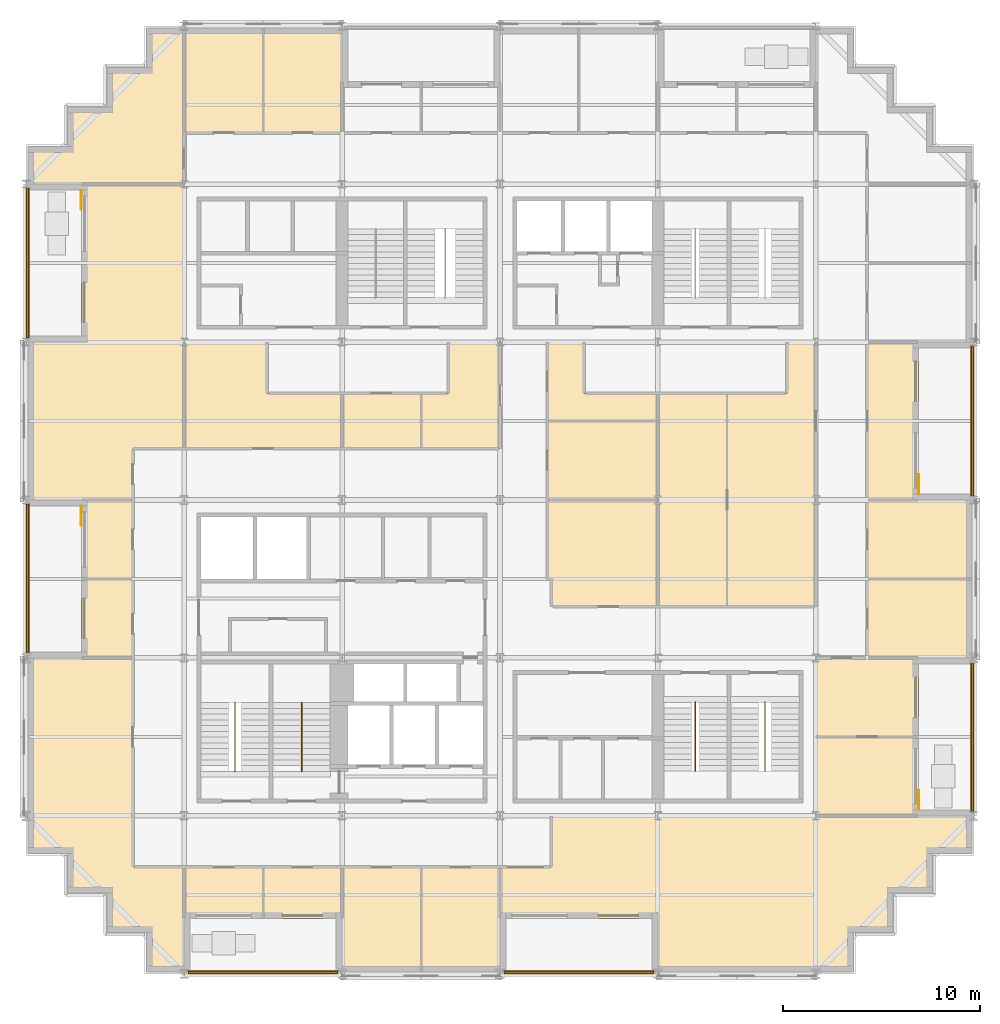
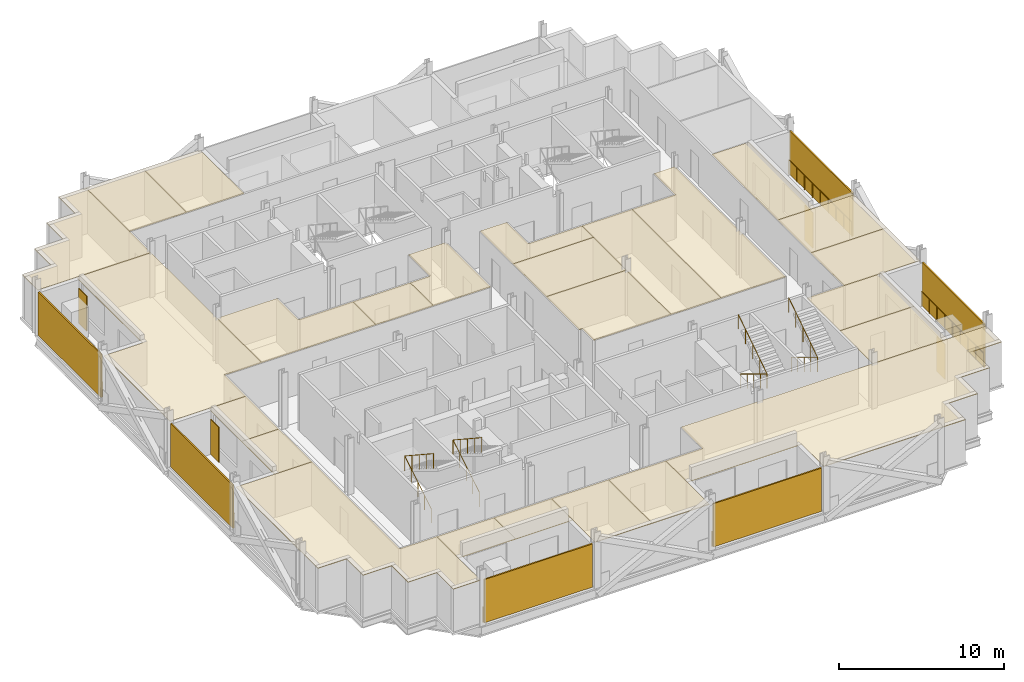
# One storey, part 13 of 15: 25 coverings, 10 railings, 10 shading devices.
"""IFC4 building model written with IfcOpenShell, lengths in metres."""

import ifcopenshell
import ifcopenshell.guid

model = None  # the IFC model being written
_history = None  # IfcOwnerHistory: only IFC2X3 demands one
_inside = {}  # id of a spatial element -> (the spatial element, [elements in it])
_under = {}  # id of a project, library or spatial element -> (it, [spatial elements below it])
_declared = {}  # id of a project -> (the project, [libraries it declares])
_typed = {}  # id of a type object -> (the type object, [elements of that type])
_made_of = {}  # id of a material, layer set ... -> (it, [elements and type objects made of it])


def new_model(schema):
    """Start an empty IFC model of exactly this schema.

    Asked for "IFC4X3", IfcOpenShell would pick the latest addendum, in which some entities
    have other attributes; the version numbers below select the first issue.
    IFC2X3 requires an IfcOwnerHistory on every rooted entity: one is made here for all.
    """
    global model, _history
    if schema == "IFC4X3":
        model = ifcopenshell.file(schema_version=(4, 3, 0, 0))
    else:
        model = ifcopenshell.file(schema=schema)
    _inside.clear()
    _under.clear()
    _declared.clear()
    _typed.clear()
    _made_of.clear()
    _history = None
    if model.schema == "IFC2X3":
        org = make("IfcOrganization", Name="unknown")
        user = make(
            "IfcPersonAndOrganization",
            ThePerson=make("IfcPerson", FamilyName="unknown"),
            TheOrganization=org,
        )
        app = make(
            "IfcApplication",
            ApplicationDeveloper=org,
            Version="unknown",
            ApplicationFullName="unknown",
            ApplicationIdentifier="unknown",
        )
        _history = make(
            "IfcOwnerHistory",
            OwningUser=user,
            OwningApplication=app,
            ChangeAction="ADDED",
            CreationDate=0,
        )
    return model


def make(cls, **values):
    """One entity of the class cls with the attributes given. An attribute that is None is left unset."""
    return model.create_entity(
        cls, **{name: value for name, value in values.items() if value is not None}
    )


def rooted(cls, **values):
    """An entity with a GlobalId (a new one), such as an element, a storey or a relation."""
    return make(cls, GlobalId=ifcopenshell.guid.new(), OwnerHistory=_history, **values)


def si_unit(unit_type, name, prefix=None):
    """IfcSIUnit, for example si_unit("LENGTHUNIT", "METRE", prefix="MILLI")."""
    return make("IfcSIUnit", UnitType=unit_type, Prefix=prefix, Name=name)


def assignment(units):
    """IfcUnitAssignment: the units of a project."""
    return None if units is None else make("IfcUnitAssignment", Units=units)


def point(xyz):
    """IfcCartesianPoint."""
    return None if xyz is None else make("IfcCartesianPoint", Coordinates=xyz)


def direction(xyz):
    """IfcDirection."""
    return None if xyz is None else make("IfcDirection", DirectionRatios=xyz)


def frame(location, z_axis=None, x_axis=None):
    """IfcAxis2Placement3D, a coordinate frame: its origin and axes. An axis left out is left unset."""
    return make(
        "IfcAxis2Placement3D",
        Location=point(location),
        Axis=direction(z_axis),
        RefDirection=direction(x_axis),
    )


def frame_2d(location, x_axis=None):
    """IfcAxis2Placement2D, a coordinate frame in the plane: its origin and x axis."""
    return make(
        "IfcAxis2Placement2D", Location=point(location), RefDirection=direction(x_axis)
    )


def origin():
    """The frame at (0, 0, 0) with its axes left unset."""
    return frame((0.0, 0.0, 0.0))


def origin_2d():
    """The frame at (0, 0) in the plane with its x axis left unset."""
    return frame_2d((0.0, 0.0))


def place(relative_to, where):
    """IfcLocalPlacement: puts the frame where relative to a parent placement (None: the world)."""
    return make(
        "IfcLocalPlacement", PlacementRelTo=relative_to, RelativePlacement=where
    )


def context(
    kind, dimensions, precision=None, world=None, true_north=None, identifier=None
):
    """IfcGeometricRepresentationContext, for example the 3D "Model" context."""
    return make(
        "IfcGeometricRepresentationContext",
        ContextIdentifier=identifier,
        ContextType=kind,
        CoordinateSpaceDimension=dimensions,
        Precision=precision,
        WorldCoordinateSystem=world,
        TrueNorth=true_north,
    )


def subcontext(parent, identifier, kind, view, scale=None):
    """IfcGeometricRepresentationSubContext, for example "Body" below "Model"."""
    return make(
        "IfcGeometricRepresentationSubContext",
        ContextIdentifier=identifier,
        ContextType=kind,
        ParentContext=parent,
        TargetScale=scale,
        TargetView=view,
    )


def project(units=None, contexts=None):
    """IfcProject with its units and contexts."""
    return rooted(
        "IfcProject",
        Name="project",
        RepresentationContexts=contexts,
        UnitsInContext=assignment(units),
    )


def spatial(cls, under=None, at=None, **own):
    """A site, building, storey or space (cls), placed at a placement, below another one or the project."""
    s = rooted(cls, ObjectPlacement=at, **own)
    if under is not None:
        _under.setdefault(under.id(), (under, []))[1].append(s)
    return s


def polyline(points):
    """IfcPolyline through the points."""
    return make("IfcPolyline", Points=[point(p) for p in points])


def profile(cls, at=None, kind="AREA", **sizes):
    """A parametric profile (cls). Its sizes go by their IFC names, for example OverallWidth=200.0."""
    return make(cls, ProfileType=kind, Position=at, **sizes)


def rectangle(**sizes):
    """IfcRectangleProfileDef."""
    return profile("IfcRectangleProfileDef", **sizes)


def circle(**sizes):
    """IfcCircleProfileDef."""
    return profile("IfcCircleProfileDef", **sizes)


def outline(outer, holes=None, kind="AREA"):
    """IfcArbitraryClosedProfileDef: a profile drawn as a closed curve; with holes, ...WithVoids."""
    if holes is None:
        return make("IfcArbitraryClosedProfileDef", ProfileType=kind, OuterCurve=outer)
    return make(
        "IfcArbitraryProfileDefWithVoids",
        ProfileType=kind,
        OuterCurve=outer,
        InnerCurves=holes,
    )


def extrude(swept, where, along, depth):
    """IfcExtrudedAreaSolid: the profile swept, set in the frame where, extruded along a direction by depth."""
    return make(
        "IfcExtrudedAreaSolid",
        SweptArea=swept,
        Position=where,
        ExtrudedDirection=direction(along),
        Depth=depth,
    )


def shape(context_of_items, identifier, shape_type, items):
    """IfcShapeRepresentation: the items that make up one representation, for example the "Body"."""
    return make(
        "IfcShapeRepresentation",
        ContextOfItems=context_of_items,
        RepresentationIdentifier=identifier,
        RepresentationType=shape_type,
        Items=items,
    )


def material(Name=None, Category=None):
    """IfcMaterial."""
    return make("IfcMaterial", Name=Name, Category=Category)


def layer(
    of_material, thickness, ventilated=None, Name=None, Category=None, Priority=None
):
    """IfcMaterialLayer: one layer of a wall or slab, of a material (None: an air gap)."""
    return make(
        "IfcMaterialLayer",
        Material=of_material,
        LayerThickness=thickness,
        IsVentilated=ventilated,
        Name=Name,
        Category=Category,
        Priority=Priority,
    )


def layer_set(layers, Name=None):
    """IfcMaterialLayerSet."""
    return make("IfcMaterialLayerSet", MaterialLayers=layers, LayerSetName=Name)


def made_of(thing, what):
    """Note that an element or type object is made of a material, layer set ...; save() writes the relation."""
    if what is not None:
        _made_of.setdefault(what.id(), (what, []))[1].append(thing)
    return thing


def type_object(cls, material=None, **own):
    """A type object (cls), such as IfcWallType, which elements share."""
    return made_of(rooted(cls, **own), material)


def element(
    cls,
    number,
    at=None,
    inside=None,
    cuts=None,
    type_object=None,
    material=None,
    context=None,
    identifier="Body",
    shape_type=None,
    held_by="IfcProductDefinitionShape",
    body=None,
    shapes=None,
    **own,
):
    """One element of the class cls, such as IfcWall. Its Tag is "e" and its number.

    at: its placement. inside: the storey or other place that contains it. cuts: it is an
    opening in that element (IfcRelVoidsElement). A single representation is given by context,
    identifier, shape_type and body (its items); several are given by shapes. held_by: the class
    of the entity that holds the representations. save() writes the other relations.
    """
    e = rooted(cls, Tag="e%d" % number, ObjectPlacement=at, **own)
    if body is not None:
        shapes = [shape(context, identifier, shape_type, body)]
    if shapes is not None:
        e.Representation = make(held_by, Representations=shapes)
    if inside is not None:
        _inside.setdefault(inside.id(), (inside, []))[1].append(e)
    if cuts is not None:
        rooted(
            "IfcRelVoidsElement", RelatingBuildingElement=cuts, RelatedOpeningElement=e
        )
    if type_object is not None:
        _typed.setdefault(type_object.id(), (type_object, []))[1].append(e)
    return made_of(e, material)


def aggregate(whole, parts):
    """IfcRelAggregates: a whole, such as a stair, and the parts it consists of."""
    return rooted("IfcRelAggregates", RelatingObject=whole, RelatedObjects=parts)


def save(model, path):
    """Write the relations noted so far, then the file.

    IfcRelAggregates (storeys below a building ...), IfcRelContainedInSpatialStructure (elements
    in a storey), IfcRelDefinesByType, IfcRelAssociatesMaterial and IfcRelDeclares: one each for
    every whole, place, type object, material and project.
    """
    for whole, parts in _under.values():
        aggregate(whole, parts)
    for where, things in _inside.values():
        rooted(
            "IfcRelContainedInSpatialStructure",
            RelatedElements=things,
            RelatingStructure=where,
        )
    for kind, things in _typed.values():
        rooted("IfcRelDefinesByType", RelatedObjects=things, RelatingType=kind)
    for what, things in _made_of.values():
        rooted("IfcRelAssociatesMaterial", RelatedObjects=things, RelatingMaterial=what)
    for by, libraries in _declared.values():
        rooted("IfcRelDeclares", RelatingContext=by, RelatedDefinitions=libraries)
    model.write(path)


model = new_model("IFC4")

# Units and contexts
model_context = context("Model", 3, precision=1e-05, world=origin(), true_north=direction((0.0, 1.0)))
body_context = subcontext(model_context, "Body", "Model", "MODEL_VIEW")
ifc_project = project(units=[si_unit("LENGTHUNIT", "METRE"), si_unit("AREAUNIT", "SQUARE_METRE"), si_unit("VOLUMEUNIT", "CUBIC_METRE"), si_unit("PLANEANGLEUNIT", "RADIAN"), si_unit("MASSUNIT", "GRAM", prefix="KILO")], contexts=[model_context])

# Site, building, storey
site_placement = place(None, origin())
site = spatial("IfcSite", under=ifc_project, at=site_placement, CompositionType="ELEMENT")
building_placement = place(site_placement, origin())
building = spatial("IfcBuilding", under=site, at=building_placement, Name="Immortelle Media Tower", CompositionType="ELEMENT")
storey_placement = place(building_placement, frame((0.0, 0.0, 109.60009765625)))
storey = spatial("IfcBuildingStorey", under=building, at=storey_placement, Name="L21", CompositionType="ELEMENT", Elevation=109.60009765625)

# Railings
ifc_material_1 = material(Name="Powder-coated aluminium fretwork panel, laminated glass backing", Category="aluminium")
railing_type_1 = type_object("IfcRailingType", Name="Fretwork balustrade 1100", PredefinedType="BALUSTRADE", material=ifc_material_1)
railing_1_placement = place(storey_placement, frame((0.139892578125, 39.806884765625, 0.0)))
element("IfcRailing", 1, at=railing_1_placement, inside=storey, type_object=railing_type_1, Name="Fretwork balustrade L21 W0", PredefinedType="BALUSTRADE", context=body_context, shape_type="SweptSolid", body=[
    extrude(circle(Radius=0.02490234375, at=origin_2d()), frame((0.0, 0.0, 1.0751953125), z_axis=(0.0, -1.0, 0.0), x_axis=(1.0, 0.0, 0.0)), (0.0, 0.0, 1.0), 7.598388671875),
    extrude(circle(Radius=0.02001953125, at=origin_2d()), origin(), (0.0, 0.0, 1.0), 1.050048828125),
    extrude(circle(Radius=0.02001953125, at=origin_2d()), frame((0.0, -0.94970703125, 0.0)), (0.0, 0.0, 1.0), 1.050048828125),
    extrude(circle(Radius=0.02001953125, at=origin_2d()), frame((0.0, -1.899658203125, 0.0)), (0.0, 0.0, 1.0), 1.050048828125),
    extrude(circle(Radius=0.02001953125, at=origin_2d()), frame((0.0, -2.849365234375, 0.0)), (0.0, 0.0, 1.0), 1.050048828125),
    extrude(circle(Radius=0.02001953125, at=origin_2d()), frame((0.0, -3.79931640625, 0.0)), (0.0, 0.0, 1.0), 1.050048828125),
    extrude(circle(Radius=0.02001953125, at=origin_2d()), frame((0.0, -4.7490234375, 0.0)), (0.0, 0.0, 1.0), 1.050048828125),
    extrude(circle(Radius=0.02001953125, at=origin_2d()), frame((0.0, -5.69873046875, 0.0)), (0.0, 0.0, 1.0), 1.050048828125),
    extrude(circle(Radius=0.02001953125, at=origin_2d()), frame((0.0, -6.648681640625, 0.0)), (0.0, 0.0, 1.0), 1.050048828125),
    extrude(circle(Radius=0.02001953125, at=origin_2d()), frame((0.0, -7.598388671875, 0.0)), (0.0, 0.0, 1.0), 1.050048828125),
])
railing_2_placement = place(storey_placement, frame((0.139892578125, 23.79150390625, 0.0)))
element("IfcRailing", 2, at=railing_2_placement, inside=storey, type_object=railing_type_1, Name="Fretwork balustrade L21 W2", PredefinedType="BALUSTRADE", context=body_context, shape_type="SweptSolid", body=[
    extrude(circle(Radius=0.02490234375, at=origin_2d()), frame((0.0, 0.0, 1.0751953125), z_axis=(0.0, -1.0, 0.0), x_axis=(1.0, 0.0, 0.0)), (0.0, 0.0, 1.0), 7.54248046875),
    extrude(circle(Radius=0.02001953125, at=origin_2d()), origin(), (0.0, 0.0, 1.0), 1.050048828125),
    extrude(circle(Radius=0.02001953125, at=origin_2d()), frame((0.0, -0.94287109375, 0.0)), (0.0, 0.0, 1.0), 1.050048828125),
    extrude(circle(Radius=0.02001953125, at=origin_2d()), frame((0.0, -1.8857421875, 0.0)), (0.0, 0.0, 1.0), 1.050048828125),
    extrude(circle(Radius=0.02001953125, at=origin_2d()), frame((0.0, -2.828369140625, 0.0)), (0.0, 0.0, 1.0), 1.050048828125),
    extrude(circle(Radius=0.02001953125, at=origin_2d()), frame((0.0, -3.771240234375, 0.0)), (0.0, 0.0, 1.0), 1.050048828125),
    extrude(circle(Radius=0.02001953125, at=origin_2d()), frame((0.0, -4.714111328125, 0.0)), (0.0, 0.0, 1.0), 1.050048828125),
    extrude(circle(Radius=0.02001953125, at=origin_2d()), frame((0.0, -5.65673828125, 0.0)), (0.0, 0.0, 1.0), 1.050048828125),
    extrude(circle(Radius=0.02001953125, at=origin_2d()), frame((0.0, -6.599609375, 0.0)), (0.0, 0.0, 1.0), 1.050048828125),
    extrude(circle(Radius=0.02001953125, at=origin_2d()), frame((0.0, -7.54248046875, 0.0)), (0.0, 0.0, 1.0), 1.050048828125),
])
railing_3_placement = place(storey_placement, frame((8.20947265625, 0.139892578125, 0.0)))
element("IfcRailing", 3, at=railing_3_placement, inside=storey, type_object=railing_type_1, Name="Fretwork balustrade L21 S0", PredefinedType="BALUSTRADE", context=body_context, shape_type="SweptSolid", body=[
    extrude(circle(Radius=0.02490234375, at=origin_2d()), frame((0.0, 0.0, 1.0751953125), z_axis=(1.0, 0.0, 0.0), x_axis=(0.0, 1.0, 0.0)), (0.0, 0.0, 1.0), 7.574462890625),
    extrude(circle(Radius=0.02001953125, at=origin_2d()), origin(), (0.0, 0.0, 1.0), 1.050048828125),
    extrude(circle(Radius=0.02001953125, at=origin_2d()), frame((0.94677734375, 0.0, 0.0)), (0.0, 0.0, 1.0), 1.050048828125),
    extrude(circle(Radius=0.02001953125, at=origin_2d()), frame((1.8935546875, 0.0, 0.0)), (0.0, 0.0, 1.0), 1.050048828125),
    extrude(circle(Radius=0.02001953125, at=origin_2d()), frame((2.84033203125, 0.0, 0.0)), (0.0, 0.0, 1.0), 1.050048828125),
    extrude(circle(Radius=0.02001953125, at=origin_2d()), frame((3.787109375, 0.0, 0.0)), (0.0, 0.0, 1.0), 1.050048828125),
    extrude(circle(Radius=0.02001953125, at=origin_2d()), frame((4.734130859375, 0.0, 0.0)), (0.0, 0.0, 1.0), 1.050048828125),
    extrude(circle(Radius=0.02001953125, at=origin_2d()), frame((5.680908203125, 0.0, 0.0)), (0.0, 0.0, 1.0), 1.050048828125),
    extrude(circle(Radius=0.02001953125, at=origin_2d()), frame((6.627685546875, 0.0, 0.0)), (0.0, 0.0, 1.0), 1.050048828125),
    extrude(circle(Radius=0.02001953125, at=origin_2d()), frame((7.574462890625, 0.0, 0.0)), (0.0, 0.0, 1.0), 1.050048828125),
])
railing_4_placement = place(storey_placement, frame((24.216064453125, 0.139892578125, 0.0)))
element("IfcRailing", 4, at=railing_4_placement, inside=storey, type_object=railing_type_1, Name="Fretwork balustrade L21 S2", PredefinedType="BALUSTRADE", context=body_context, shape_type="SweptSolid", body=[
    extrude(circle(Radius=0.02490234375, at=origin_2d()), frame((0.0, 0.0, 1.0751953125), z_axis=(1.0, 0.0, 0.0), x_axis=(0.0, 1.0, 0.0)), (0.0, 0.0, 1.0), 7.56787109375),
    extrude(circle(Radius=0.02001953125, at=origin_2d()), origin(), (0.0, 0.0, 1.0), 1.050048828125),
    extrude(circle(Radius=0.02001953125, at=origin_2d()), frame((0.946044921875, 0.0, 0.0)), (0.0, 0.0, 1.0), 1.050048828125),
    extrude(circle(Radius=0.02001953125, at=origin_2d()), frame((1.89208984375, 0.0, 0.0)), (0.0, 0.0, 1.0), 1.050048828125),
    extrude(circle(Radius=0.02001953125, at=origin_2d()), frame((2.837890625, 0.0, 0.0)), (0.0, 0.0, 1.0), 1.050048828125),
    extrude(circle(Radius=0.02001953125, at=origin_2d()), frame((3.783935546875, 0.0, 0.0)), (0.0, 0.0, 1.0), 1.050048828125),
    extrude(circle(Radius=0.02001953125, at=origin_2d()), frame((4.72998046875, 0.0, 0.0)), (0.0, 0.0, 1.0), 1.050048828125),
    extrude(circle(Radius=0.02001953125, at=origin_2d()), frame((5.67578125, 0.0, 0.0)), (0.0, 0.0, 1.0), 1.050048828125),
    extrude(circle(Radius=0.02001953125, at=origin_2d()), frame((6.621826171875, 0.0, 0.0)), (0.0, 0.0, 1.0), 1.050048828125),
    extrude(circle(Radius=0.02001953125, at=origin_2d()), frame((7.56787109375, 0.0, 0.0)), (0.0, 0.0, 1.0), 1.050048828125),
])
railing_5_placement = place(storey_placement, frame((47.860107421875, 8.2275390625, 0.0)))
element("IfcRailing", 5, at=railing_5_placement, inside=storey, type_object=railing_type_1, Name="Fretwork balustrade L21 E0", PredefinedType="BALUSTRADE", context=body_context, shape_type="SweptSolid", body=[
    extrude(circle(Radius=0.02490234375, at=origin_2d()), frame((0.0, 0.0, 1.0751953125), z_axis=(0.0, 1.0, 0.0), x_axis=(-1.0, 0.0, 0.0)), (0.0, 0.0, 1.0), 7.5234375),
    extrude(circle(Radius=0.02001953125, at=origin_2d()), origin(), (0.0, 0.0, 1.0), 1.050048828125),
    extrude(circle(Radius=0.02001953125, at=origin_2d()), frame((0.0, 0.9404296875, 0.0)), (0.0, 0.0, 1.0), 1.050048828125),
    extrude(circle(Radius=0.02001953125, at=origin_2d()), frame((0.0, 1.880859375, 0.0)), (0.0, 0.0, 1.0), 1.050048828125),
    extrude(circle(Radius=0.02001953125, at=origin_2d()), frame((0.0, 2.8212890625, 0.0)), (0.0, 0.0, 1.0), 1.050048828125),
    extrude(circle(Radius=0.02001953125, at=origin_2d()), frame((0.0, 3.76171875, 0.0)), (0.0, 0.0, 1.0), 1.050048828125),
    extrude(circle(Radius=0.02001953125, at=origin_2d()), frame((0.0, 4.7021484375, 0.0)), (0.0, 0.0, 1.0), 1.050048828125),
    extrude(circle(Radius=0.02001953125, at=origin_2d()), frame((0.0, 5.642578125, 0.0)), (0.0, 0.0, 1.0), 1.050048828125),
    extrude(circle(Radius=0.02001953125, at=origin_2d()), frame((0.0, 6.5830078125, 0.0)), (0.0, 0.0, 1.0), 1.050048828125),
    extrude(circle(Radius=0.02001953125, at=origin_2d()), frame((0.0, 7.5234375, 0.0)), (0.0, 0.0, 1.0), 1.050048828125),
])
railing_6_placement = place(storey_placement, frame((47.860107421875, 24.193115234375, 0.0)))
element("IfcRailing", 6, at=railing_6_placement, inside=storey, type_object=railing_type_1, Name="Fretwork balustrade L21 E2", PredefinedType="BALUSTRADE", context=body_context, shape_type="SweptSolid", body=[
    extrude(circle(Radius=0.02490234375, at=origin_2d()), frame((0.0, 0.0, 1.0751953125), z_axis=(0.0, 1.0, 0.0), x_axis=(-1.0, 0.0, 0.0)), (0.0, 0.0, 1.0), 7.61376953125),
    extrude(circle(Radius=0.02001953125, at=origin_2d()), origin(), (0.0, 0.0, 1.0), 1.050048828125),
    extrude(circle(Radius=0.02001953125, at=origin_2d()), frame((0.0, 0.95166015625, 0.0)), (0.0, 0.0, 1.0), 1.050048828125),
    extrude(circle(Radius=0.02001953125, at=origin_2d()), frame((0.0, 1.9033203125, 0.0)), (0.0, 0.0, 1.0), 1.050048828125),
    extrude(circle(Radius=0.02001953125, at=origin_2d()), frame((0.0, 2.855224609375, 0.0)), (0.0, 0.0, 1.0), 1.050048828125),
    extrude(circle(Radius=0.02001953125, at=origin_2d()), frame((0.0, 3.806884765625, 0.0)), (0.0, 0.0, 1.0), 1.050048828125),
    extrude(circle(Radius=0.02001953125, at=origin_2d()), frame((0.0, 4.758544921875, 0.0)), (0.0, 0.0, 1.0), 1.050048828125),
    extrude(circle(Radius=0.02001953125, at=origin_2d()), frame((0.0, 5.71044921875, 0.0)), (0.0, 0.0, 1.0), 1.050048828125),
    extrude(circle(Radius=0.02001953125, at=origin_2d()), frame((0.0, 6.662109375, 0.0)), (0.0, 0.0, 1.0), 1.050048828125),
    extrude(circle(Radius=0.02001953125, at=origin_2d()), frame((0.0, 7.61376953125, 0.0)), (0.0, 0.0, 1.0), 1.050048828125),
])

# Shading devices
ifc_material_2 = material(Name="Pale aluminium louvre blades", Category="aluminium")
ifc_layer_1 = layer(ifc_material_2, 0.10009765625)
ifc_layer_set_1 = layer_set([ifc_layer_1], Name="Pale aluminium louvre blades")
shading_device_type_1 = type_object("IfcShadingDeviceType", Name="Jalousie screen 100", PredefinedType="JALOUSIE", material=ifc_layer_set_1)
shading_device_1_placement = place(storey_placement, frame((0.050048828125, 36.0078125, 0.0), z_axis=(0.0, 0.0, 1.0), x_axis=(0.0, -1.0, 0.0)))
element("IfcShadingDevice", 7, at=shading_device_1_placement, inside=storey, type_object=shading_device_type_1, Name="Jalousie screen L21 W0", PredefinedType="JALOUSIE", context=body_context, shape_type="SweptSolid", body=[
    extrude(rectangle(XDim=7.598388671875, YDim=0.10009765625, at=origin_2d()), origin(), (0.0, 0.0, 1.0), 3.199951171875),
])
shading_device_2_placement = place(storey_placement, frame((0.050048828125, 20.020263671875, 0.0), z_axis=(0.0, 0.0, 1.0), x_axis=(0.0, -1.0, 0.0)))
element("IfcShadingDevice", 8, at=shading_device_2_placement, inside=storey, type_object=shading_device_type_1, Name="Jalousie screen L21 W2", PredefinedType="JALOUSIE", context=body_context, shape_type="SweptSolid", body=[
    extrude(rectangle(XDim=7.54248046875, YDim=0.10009765625, at=origin_2d()), origin(), (0.0, 0.0, 1.0), 3.199951171875),
])
shading_device_3_placement = place(storey_placement, frame((11.996826171875, 0.050048828125, 0.0), z_axis=(0.0, 0.0, 1.0), x_axis=(1.0, 0.0, 0.0)))
element("IfcShadingDevice", 9, at=shading_device_3_placement, inside=storey, type_object=shading_device_type_1, Name="Jalousie screen L21 S0", PredefinedType="JALOUSIE", context=body_context, shape_type="SweptSolid", body=[
    extrude(rectangle(XDim=7.574462890625, YDim=0.10009765625, at=origin_2d()), origin(), (0.0, 0.0, 1.0), 3.199951171875),
])
shading_device_4_placement = place(storey_placement, frame((28.0, 0.050048828125, 0.0), z_axis=(0.0, 0.0, 1.0), x_axis=(1.0, 0.0, 0.0)))
element("IfcShadingDevice", 10, at=shading_device_4_placement, inside=storey, type_object=shading_device_type_1, Name="Jalousie screen L21 S2", PredefinedType="JALOUSIE", context=body_context, shape_type="SweptSolid", body=[
    extrude(rectangle(XDim=7.568115234375, YDim=0.10009765625, at=origin_2d()), origin(), (0.0, 0.0, 1.0), 3.199951171875),
])
shading_device_5_placement = place(storey_placement, frame((47.949951171875, 11.9892578125, 0.0), z_axis=(0.0, 0.0, 1.0), x_axis=(0.0, 1.0, 0.0)))
element("IfcShadingDevice", 11, at=shading_device_5_placement, inside=storey, type_object=shading_device_type_1, Name="Jalousie screen L21 E0", PredefinedType="JALOUSIE", context=body_context, shape_type="SweptSolid", body=[
    extrude(rectangle(XDim=7.5234375, YDim=0.10009765625, at=origin_2d()), origin(), (0.0, 0.0, 1.0), 3.199951171875),
])
shading_device_6_placement = place(storey_placement, frame((47.949951171875, 28.0, 0.0), z_axis=(0.0, 0.0, 1.0), x_axis=(0.0, 1.0, 0.0)))
element("IfcShadingDevice", 12, at=shading_device_6_placement, inside=storey, type_object=shading_device_type_1, Name="Jalousie screen L21 E2", PredefinedType="JALOUSIE", context=body_context, shape_type="SweptSolid", body=[
    extrude(rectangle(XDim=7.614013671875, YDim=0.10009765625, at=origin_2d()), origin(), (0.0, 0.0, 1.0), 3.199951171875),
])
ifc_material_3 = material(Name="Pale aluminium louvre blades in a folding frame", Category="aluminium")
ifc_layer_2 = layer(ifc_material_3, 0.050048828125)
ifc_layer_set_2 = layer_set([ifc_layer_2], Name="Pale aluminium louvre blades in a folding frame")
shading_device_type_2 = type_object("IfcShadingDeviceType", Name="Louvred loggia shutter", PredefinedType="SHUTTER", material=ifc_layer_set_2)
for number, where, z_axis, x_axis, name in (
    (13, (2.77490234375, 39.199951171875, -0.000244140625), (0.0, 0.0, 1.0), (0.0, -1.0, 0.0), "Loggia shutter L21 W0"),
    (14, (2.77490234375, 23.199951171875, -0.000244140625), (0.0, 0.0, 1.0), (0.0, -1.0, 0.0), "Loggia shutter L21 W2"),
    (15, (45.22509765625, 8.800048828125, -0.000244140625), (0.0, 0.0, 1.0), (0.0, 1.0, 0.0), "Loggia shutter L21 E0"),
    (16, (45.22509765625, 24.800048828125, -0.000244140625), (0.0, 0.0, 1.0), (0.0, 1.0, 0.0), "Loggia shutter L21 E2"),
):
    element("IfcShadingDevice", number, at=place(storey_placement, frame(where, z_axis=z_axis, x_axis=x_axis)), inside=storey, type_object=shading_device_type_2, Name=name, PredefinedType="SHUTTER", context=body_context, shape_type="SweptSolid", body=[
        extrude(rectangle(XDim=1.0, YDim=0.050048828125, at=origin_2d()), origin(), (0.0, 0.0, 1.0), 2.60009765625),
    ])

# Railings
ifc_material_4 = material(Name="Stainless steel AISI 316", Category="steel")
railing_type_2 = type_object("IfcRailingType", Name="Stair guard 1100", PredefinedType="GUARDRAIL", material=ifc_material_4)
for number, where, name in (
    (17, (10.574951171875, 10.5400390625, 0.17578125), "Stair guard SW1"),
    (18, (13.949951171875, 10.5400390625, 0.17578125), "Stair guard SW2"),
):
    element("IfcRailing", number, at=place(storey_placement, frame(where)), inside=storey, type_object=railing_type_2, Name=name, PredefinedType="GUARDRAIL", context=body_context, shape_type="SweptSolid", body=[
        extrude(circle(Radius=0.02392578125, at=origin_2d()), frame((0.0, 0.0, 1.076171875), z_axis=(0.0, 0.854872504309, 0.518838126371), x_axis=(-1.0, 0.0, 0.0)), (0.0, 0.0, 1.0), 3.7314453125),
        extrude(circle(Radius=0.02392578125, at=origin_2d()), frame((0.0, 3.18994140625, 3.01220703125), z_axis=(0.0, -0.835568629342, 0.549386080693), x_axis=(1.0, 0.0, 0.0)), (0.0, 0.0, 1.0), 4.164794921875),
        extrude(circle(Radius=0.02099609375, at=origin_2d()), origin(), (0.0, 0.0, 1.0), 1.052001953125),
        extrude(circle(Radius=0.02099609375, at=origin_2d()), frame((0.0, 0.79736328125, 0.48388671875)), (0.0, 0.0, 1.0), 1.052001953125),
        extrude(circle(Radius=0.02099609375, at=origin_2d()), frame((0.0, 1.594970703125, 0.968017578125)), (0.0, 0.0, 1.0), 1.052001953125),
        extrude(circle(Radius=0.02099609375, at=origin_2d()), frame((0.0, 2.392578125, 1.4521484375)), (0.0, 0.0, 1.0), 1.052001953125),
        extrude(circle(Radius=0.02099609375, at=origin_2d()), frame((0.0, 3.18994140625, 1.93603515625)), (0.0, 0.0, 1.0), 1.052001953125),
        extrude(circle(Radius=0.02099609375, at=origin_2d()), frame((0.0, 2.31982421875, 2.508056640625)), (0.0, 0.0, 1.0), 1.052001953125),
        extrude(circle(Radius=0.02099609375, at=origin_2d()), frame((0.0, 1.449951171875, 3.080078125)), (0.0, 0.0, 1.0), 1.052001953125),
        extrude(circle(Radius=0.02099609375, at=origin_2d()), frame((0.0, 0.580078125, 3.652099609375)), (0.0, 0.0, 1.0), 1.052001953125),
        extrude(circle(Radius=0.02099609375, at=origin_2d()), frame((0.0, -0.2900390625, 4.22412109375)), (0.0, 0.0, 1.0), 1.052001953125),
    ])
for number, where, name in (
    (19, (33.89990234375, 13.4599609375, 0.17578125), "Stair guard SE1"),
    (20, (37.425048828125, 13.4599609375, 0.17578125), "Stair guard SE2"),
):
    element("IfcRailing", number, at=place(storey_placement, frame(where)), inside=storey, type_object=railing_type_2, Name=name, PredefinedType="GUARDRAIL", context=body_context, shape_type="SweptSolid", body=[
        extrude(circle(Radius=0.02392578125, at=origin_2d()), frame((0.0, 0.0, 1.076171875), z_axis=(0.0, -0.854872504309, 0.518838126371), x_axis=(1.0, 0.0, 0.0)), (0.0, 0.0, 1.0), 3.7314453125),
        extrude(circle(Radius=0.02392578125, at=origin_2d()), frame((0.0, -3.18994140625, 3.01220703125), z_axis=(0.0, 0.835568629342, 0.549386080693), x_axis=(-1.0, 0.0, 0.0)), (0.0, 0.0, 1.0), 4.164794921875),
        extrude(circle(Radius=0.02099609375, at=origin_2d()), origin(), (0.0, 0.0, 1.0), 1.052001953125),
        extrude(circle(Radius=0.02099609375, at=origin_2d()), frame((0.0, -0.79736328125, 0.48388671875)), (0.0, 0.0, 1.0), 1.052001953125),
        extrude(circle(Radius=0.02099609375, at=origin_2d()), frame((0.0, -1.594970703125, 0.968017578125)), (0.0, 0.0, 1.0), 1.052001953125),
        extrude(circle(Radius=0.02099609375, at=origin_2d()), frame((0.0, -2.392578125, 1.4521484375)), (0.0, 0.0, 1.0), 1.052001953125),
        extrude(circle(Radius=0.02099609375, at=origin_2d()), frame((0.0, -3.18994140625, 1.93603515625)), (0.0, 0.0, 1.0), 1.052001953125),
        extrude(circle(Radius=0.02099609375, at=origin_2d()), frame((0.0, -2.31982421875, 2.508056640625)), (0.0, 0.0, 1.0), 1.052001953125),
        extrude(circle(Radius=0.02099609375, at=origin_2d()), frame((0.0, -1.449951171875, 3.080078125)), (0.0, 0.0, 1.0), 1.052001953125),
        extrude(circle(Radius=0.02099609375, at=origin_2d()), frame((0.0, -0.580078125, 3.652099609375)), (0.0, 0.0, 1.0), 1.052001953125),
        extrude(circle(Radius=0.02099609375, at=origin_2d()), frame((0.0, 0.2900390625, 4.22412109375)), (0.0, 0.0, 1.0), 1.052001953125),
    ])

# Coverings
ifc_material_5 = material(Name="Mineral fibre tile ceiling")
ifc_layer_3 = layer(ifc_material_5, 0.050048828125)
ifc_layer_set_3 = layer_set([ifc_layer_3], Name="Mineral fibre tile ceiling")
covering_type = type_object("IfcCoveringType", Name="Suspended ceiling 50", PredefinedType="CEILING", material=ifc_layer_set_3)
covering_1_placement = place(storey_placement, frame((0.0, 0.0, 3.143798828125)))
element("IfcCovering", 21, at=covering_1_placement, inside=storey, type_object=covering_type, Name="Ceiling L21-001", PredefinedType="CEILING", context=body_context, shape_type="SweptSolid", body=[
    extrude(outline(polyline([(16.0, 2.800048828125), (16.0, 5.39990234375), (20.0, 5.39990234375), (20.0, 0.10009765625), (16.0, 0.10009765625), (16.0, 2.800048828125)])), origin(), (0.0, 0.0, 1.0), 0.050048828125),
])
covering_2_placement = place(storey_placement, frame((0.0, 0.0, 3.143798828125)))
element("IfcCovering", 22, at=covering_2_placement, inside=storey, type_object=covering_type, Name="Ceiling L21-002", PredefinedType="CEILING", context=body_context, shape_type="SweptSolid", body=[
    extrude(outline(polyline([(24.0, 5.39990234375), (24.0, 2.800048828125), (24.0, 0.10009765625), (20.0, 0.10009765625), (20.0, 5.39990234375), (24.0, 5.39990234375)])), origin(), (0.0, 0.0, 1.0), 0.050048828125),
])
covering_3_placement = place(storey_placement, frame((0.0, 0.0, 3.143798828125)))
element("IfcCovering", 23, at=covering_3_placement, inside=storey, type_object=covering_type, Name="Ceiling L21-003", PredefinedType="CEILING", context=body_context, shape_type="SweptSolid", body=[
    extrude(outline(polyline([(8.0, 5.39990234375), (12.0, 5.39990234375), (12.0, 2.800048828125), (8.0, 2.800048828125), (8.0, 5.39990234375)])), origin(), (0.0, 0.0, 1.0), 0.050048828125),
])
covering_4_placement = place(storey_placement, frame((0.0, 0.0, 3.143798828125)))
element("IfcCovering", 24, at=covering_4_placement, inside=storey, type_object=covering_type, Name="Ceiling L21-004", PredefinedType="CEILING", context=body_context, shape_type="SweptSolid", body=[
    extrude(outline(polyline([(16.0, 5.39990234375), (16.0, 2.800048828125), (12.0, 2.800048828125), (12.0, 5.39990234375), (16.0, 5.39990234375)])), origin(), (0.0, 0.0, 1.0), 0.050048828125),
])
covering_5_placement = place(storey_placement, frame((0.0, 0.0, 3.143798828125)))
element("IfcCovering", 25, at=covering_5_placement, inside=storey, type_object=covering_type, Name="Ceiling L21-005", PredefinedType="CEILING", context=body_context, shape_type="SweptSolid", body=[
    extrude(outline(polyline([(24.0, 2.800048828125), (24.0, 5.39990234375), (26.60009765625, 5.39990234375), (26.60009765625, 8.0), (32.0, 8.0), (40.0, 8.0), (45.199951171875, 8.0), (47.89990234375, 8.0), (47.89990234375, 6.10009765625), (45.89990234375, 6.10009765625), (45.89990234375, 4.10009765625), (43.89990234375, 4.10009765625), (43.89990234375, 2.10009765625), (41.89990234375, 2.10009765625), (41.89990234375, 0.10009765625), (40.0, 0.10009765625), (32.0, 0.10009765625), (32.0, 2.800048828125), (24.0, 2.800048828125)])), origin(), (0.0, 0.0, 1.0), 0.050048828125),
])
covering_6_placement = place(storey_placement, frame((0.0, 0.0, 3.143798828125)))
element("IfcCovering", 26, at=covering_6_placement, inside=storey, type_object=covering_type, Name="Ceiling L21-006", PredefinedType="CEILING", context=body_context, shape_type="SweptSolid", body=[
    extrude(outline(polyline([(4.10009765625, 4.0), (4.10009765625, 4.10009765625), (2.10009765625, 4.10009765625), (2.10009765625, 6.10009765625), (0.10009765625, 6.10009765625), (0.10009765625, 8.0), (0.10009765625, 16.0), (2.800048828125, 16.0), (5.39990234375, 16.0), (5.39990234375, 8.0), (5.39990234375, 5.39990234375), (8.0, 5.39990234375), (8.0, 4.0), (8.0, 2.800048828125), (8.0, 0.10009765625), (6.10009765625, 0.10009765625), (6.10009765625, 2.10009765625), (4.10009765625, 2.10009765625), (4.10009765625, 4.0)])), origin(), (0.0, 0.0, 1.0), 0.050048828125),
])
covering_7_placement = place(storey_placement, frame((0.0, 0.0, 3.143798828125)))
element("IfcCovering", 27, at=covering_7_placement, inside=storey, type_object=covering_type, Name="Ceiling L21-007", PredefinedType="CEILING", context=body_context, shape_type="SweptSolid", body=[
    extrude(outline(polyline([(40.0, 16.0), (42.60009765625, 16.0), (45.199951171875, 16.0), (45.199951171875, 12.0), (40.0, 12.0), (40.0, 16.0)])), origin(), (0.0, 0.0, 1.0), 0.050048828125),
])
covering_8_placement = place(storey_placement, frame((0.0, 0.0, 3.143798828125)))
element("IfcCovering", 28, at=covering_8_placement, inside=storey, type_object=covering_type, Name="Ceiling L21-008", PredefinedType="CEILING", context=body_context, shape_type="SweptSolid", body=[
    extrude(outline(polyline([(40.0, 8.0), (40.0, 12.0), (45.199951171875, 12.0), (45.199951171875, 8.0), (40.0, 8.0)])), origin(), (0.0, 0.0, 1.0), 0.050048828125),
])
covering_9_placement = place(storey_placement, frame((0.0, 0.0, 3.143798828125)))
element("IfcCovering", 29, at=covering_9_placement, inside=storey, type_object=covering_type, Name="Ceiling L21-009", PredefinedType="CEILING", context=body_context, shape_type="SweptSolid", body=[
    extrude(outline(polyline([(5.39990234375, 16.0), (2.800048828125, 16.0), (2.800048828125, 20.0), (5.39990234375, 20.0), (5.39990234375, 19.449951171875), (5.39990234375, 16.0)])), origin(), (0.0, 0.0, 1.0), 0.050048828125),
])
covering_10_placement = place(storey_placement, frame((0.0, 0.0, 3.143798828125)))
element("IfcCovering", 30, at=covering_10_placement, inside=storey, type_object=covering_type, Name="Ceiling L21-010", PredefinedType="CEILING", context=body_context, shape_type="SweptSolid", body=[
    extrude(outline(polyline([(2.800048828125, 24.0), (5.39990234375, 24.0), (5.39990234375, 20.0), (2.800048828125, 20.0), (2.800048828125, 24.0)])), origin(), (0.0, 0.0, 1.0), 0.050048828125),
])
covering_11_placement = place(storey_placement, frame((0.0, 0.0, 3.143798828125)))
element("IfcCovering", 31, at=covering_11_placement, inside=storey, type_object=covering_type, Name="Ceiling L21-011", PredefinedType="CEILING", context=body_context, shape_type="SweptSolid", body=[
    extrude(outline(polyline([(42.60009765625, 16.0), (42.60009765625, 20.0), (47.89990234375, 20.0), (47.89990234375, 16.0), (45.199951171875, 16.0), (42.60009765625, 16.0)])), origin(), (0.0, 0.0, 1.0), 0.050048828125),
])
covering_12_placement = place(storey_placement, frame((0.0, 0.0, 3.143798828125)))
element("IfcCovering", 32, at=covering_12_placement, inside=storey, type_object=covering_type, Name="Ceiling L21-012", PredefinedType="CEILING", context=body_context, shape_type="SweptSolid", body=[
    extrude(outline(polyline([(42.60009765625, 24.0), (45.199951171875, 24.0), (47.89990234375, 24.0), (47.89990234375, 20.0), (42.60009765625, 20.0), (42.60009765625, 24.0)])), origin(), (0.0, 0.0, 1.0), 0.050048828125),
])
covering_13_placement = place(storey_placement, frame((0.0, 0.0, 3.143798828125)))
element("IfcCovering", 33, at=covering_13_placement, inside=storey, type_object=covering_type, Name="Ceiling L21-013", PredefinedType="CEILING", context=body_context, shape_type="SweptSolid", body=[
    extrude(outline(polyline([(32.0, 18.60009765625), (27.0, 18.60009765625), (26.60009765625, 18.60009765625), (26.60009765625, 20.0), (26.39990234375, 20.0), (26.39990234375, 24.0), (32.0, 24.0), (32.0, 18.60009765625)])), origin(), (0.0, 0.0, 1.0), 0.050048828125),
])
covering_14_placement = place(storey_placement, frame((0.0, 0.0, 3.143798828125)))
element("IfcCovering", 34, at=covering_14_placement, inside=storey, type_object=covering_type, Name="Ceiling L21-014", PredefinedType="CEILING", context=body_context, shape_type="SweptSolid", body=[
    extrude(outline(polyline([(35.5, 18.60009765625), (35.5, 29.39990234375), (38.550048828125, 29.39990234375), (38.550048828125, 32.0), (40.0, 32.0), (40.0, 24.0), (40.0, 18.60009765625), (38.550048828125, 18.60009765625), (36.0, 18.60009765625), (35.5, 18.60009765625)])), origin(), (0.0, 0.0, 1.0), 0.050048828125),
])
covering_15_placement = place(storey_placement, frame((0.0, 0.0, 3.143798828125)))
element("IfcCovering", 35, at=covering_15_placement, inside=storey, type_object=covering_type, Name="Ceiling L21-015", PredefinedType="CEILING", context=body_context, shape_type="SweptSolid", body=[
    extrude(outline(polyline([(32.0, 18.60009765625), (32.0, 24.0), (32.0, 29.39990234375), (35.5, 29.39990234375), (35.5, 18.60009765625), (32.0, 18.60009765625)])), origin(), (0.0, 0.0, 1.0), 0.050048828125),
])
covering_16_placement = place(storey_placement, frame((0.0, 0.0, 3.143798828125)))
element("IfcCovering", 36, at=covering_16_placement, inside=storey, type_object=covering_type, Name="Ceiling L21-016", PredefinedType="CEILING", context=body_context, shape_type="SweptSolid", body=[
    extrude(outline(polyline([(26.39990234375, 28.0), (32.0, 28.0), (32.0, 24.0), (26.39990234375, 24.0), (26.39990234375, 28.0)])), origin(), (0.0, 0.0, 1.0), 0.050048828125),
])
covering_17_placement = place(storey_placement, frame((0.0, 0.0, 3.143798828125)))
element("IfcCovering", 37, at=covering_17_placement, inside=storey, type_object=covering_type, Name="Ceiling L21-017", PredefinedType="CEILING", context=body_context, shape_type="SweptSolid", body=[
    extrude(outline(polyline([(26.39990234375, 32.0), (28.25, 32.0), (28.25, 29.39990234375), (32.0, 29.39990234375), (32.0, 28.0), (26.39990234375, 28.0), (26.39990234375, 32.0)])), origin(), (0.0, 0.0, 1.0), 0.050048828125),
])
covering_18_placement = place(storey_placement, frame((0.0, 0.0, 3.143798828125)))
element("IfcCovering", 38, at=covering_18_placement, inside=storey, type_object=covering_type, Name="Ceiling L21-018", PredefinedType="CEILING", context=body_context, shape_type="SweptSolid", body=[
    extrude(outline(polyline([(45.199951171875, 24.0), (42.60009765625, 24.0), (42.60009765625, 32.0), (45.199951171875, 32.0), (45.199951171875, 24.0)])), origin(), (0.0, 0.0, 1.0), 0.050048828125),
])
covering_19_placement = place(storey_placement, frame((0.0, 0.0, 3.143798828125)))
element("IfcCovering", 39, at=covering_19_placement, inside=storey, type_object=covering_type, Name="Ceiling L21-019", PredefinedType="CEILING", context=body_context, shape_type="SweptSolid", body=[
    extrude(outline(polyline([(16.0, 29.39990234375), (20.0, 29.39990234375), (20.0, 26.60009765625), (16.0, 26.60009765625), (16.0, 29.39990234375)])), origin(), (0.0, 0.0, 1.0), 0.050048828125),
])
covering_20_placement = place(storey_placement, frame((0.0, 0.0, 3.143798828125)))
element("IfcCovering", 40, at=covering_20_placement, inside=storey, type_object=covering_type, Name="Ceiling L21-020", PredefinedType="CEILING", context=body_context, shape_type="SweptSolid", body=[
    extrude(outline(polyline([(21.39990234375, 29.39990234375), (21.39990234375, 32.0), (24.0, 32.0), (24.0, 26.60009765625), (20.0, 26.60009765625), (20.0, 29.39990234375), (21.39990234375, 29.39990234375)])), origin(), (0.0, 0.0, 1.0), 0.050048828125),
])
covering_21_placement = place(storey_placement, frame((0.0, 0.0, 3.143798828125)))
element("IfcCovering", 41, at=covering_21_placement, inside=storey, type_object=covering_type, Name="Ceiling L21-021", PredefinedType="CEILING", context=body_context, shape_type="SweptSolid", body=[
    extrude(outline(polyline([(8.0, 26.60009765625), (8.0, 32.0), (12.199951171875, 32.0), (12.199951171875, 29.39990234375), (16.0, 29.39990234375), (16.0, 26.60009765625), (8.0, 26.60009765625)])), origin(), (0.0, 0.0, 1.0), 0.050048828125),
])
covering_22_placement = place(storey_placement, frame((0.0, 0.0, 3.143798828125)))
element("IfcCovering", 42, at=covering_22_placement, inside=storey, type_object=covering_type, Name="Ceiling L21-022", PredefinedType="CEILING", context=body_context, shape_type="SweptSolid", body=[
    extrude(outline(polyline([(0.10009765625, 24.0), (0.10009765625, 32.0), (2.800048828125, 32.0), (2.800048828125, 36.0), (2.800048828125, 40.0), (8.0, 40.0), (8.0, 36.0), (8.0, 32.0), (8.0, 26.60009765625), (5.39990234375, 26.60009765625), (5.39990234375, 24.0), (2.800048828125, 24.0), (0.10009765625, 24.0)])), origin(), (0.0, 0.0, 1.0), 0.050048828125),
])
covering_23_placement = place(storey_placement, frame((0.0, 0.0, 3.143798828125)))
element("IfcCovering", 43, at=covering_23_placement, inside=storey, type_object=covering_type, Name="Ceiling L21-025", PredefinedType="CEILING", context=body_context, shape_type="SweptSolid", body=[
    extrude(outline(polyline([(0.10009765625, 41.89990234375), (2.10009765625, 41.89990234375), (2.10009765625, 43.89990234375), (4.10009765625, 43.89990234375), (4.10009765625, 44.0), (4.10009765625, 45.89990234375), (6.10009765625, 45.89990234375), (6.10009765625, 47.89990234375), (8.0, 47.89990234375), (8.0, 44.0), (8.0, 42.60009765625), (8.0, 40.0), (2.800048828125, 40.0), (0.10009765625, 40.0), (0.10009765625, 41.89990234375)])), origin(), (0.0, 0.0, 1.0), 0.050048828125),
])
covering_24_placement = place(storey_placement, frame((0.0, 0.0, 3.143798828125)))
element("IfcCovering", 44, at=covering_24_placement, inside=storey, type_object=covering_type, Name="Ceiling L21-031", PredefinedType="CEILING", context=body_context, shape_type="SweptSolid", body=[
    extrude(outline(polyline([(8.0, 47.89990234375), (12.0, 47.89990234375), (12.0, 42.60009765625), (8.0, 42.60009765625), (8.0, 47.89990234375)])), origin(), (0.0, 0.0, 1.0), 0.050048828125),
])
covering_25_placement = place(storey_placement, frame((0.0, 0.0, 3.143798828125)))
element("IfcCovering", 45, at=covering_25_placement, inside=storey, type_object=covering_type, Name="Ceiling L21-032", PredefinedType="CEILING", context=body_context, shape_type="SweptSolid", body=[
    extrude(outline(polyline([(16.0, 47.89990234375), (16.0, 45.199951171875), (16.0, 42.60009765625), (12.0, 42.60009765625), (12.0, 47.89990234375), (16.0, 47.89990234375)])), origin(), (0.0, 0.0, 1.0), 0.050048828125),
])

save(model, "model.ifc")
